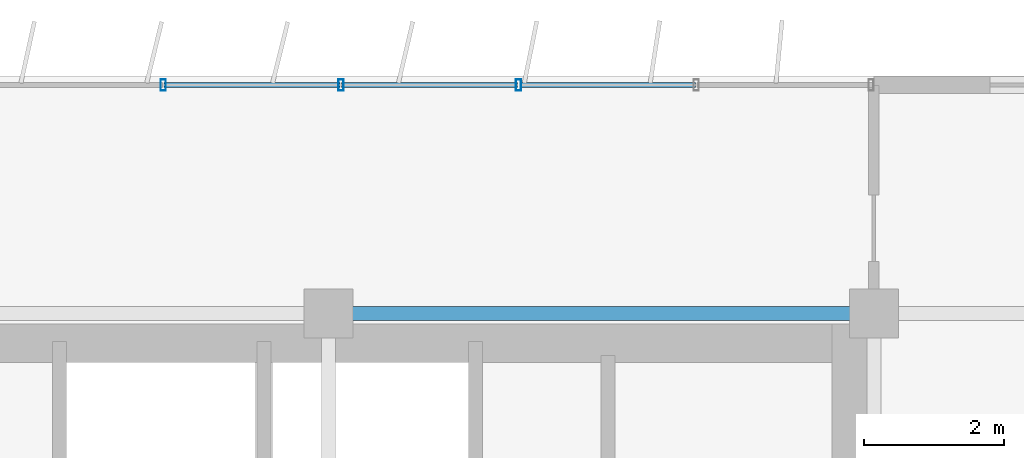
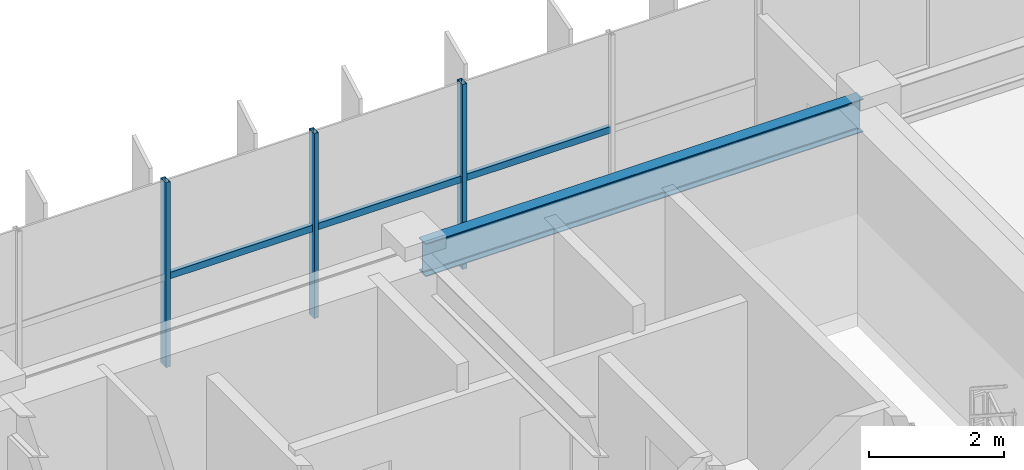
# One storey, part 13 of 24: 6 members, 1 beam, 1 element without a shape of its own.
"""IFC4 building model written with IfcOpenShell, lengths in metres."""

from ifc_helpers import new_model, si_unit, direction, frame, origin, origin_2d, place, context, subcontext, project, spatial, hollow_rectangle, i_section, extrude, source, transform, mapped, material, material_profile, profile_set, type_object, element, aggregate, save


model = new_model("IFC4")

# Units and contexts
model_context = context("Model", 3, precision=1e-05, world=origin(), true_north=direction((0.0, 1.0)))
body_context = subcontext(model_context, "Body", "Model", "MODEL_VIEW")
ifc_project = project(units=[si_unit("LENGTHUNIT", "METRE"), si_unit("AREAUNIT", "SQUARE_METRE"), si_unit("VOLUMEUNIT", "CUBIC_METRE"), si_unit("PLANEANGLEUNIT", "RADIAN"), si_unit("MASSUNIT", "GRAM", prefix="KILO")], contexts=[model_context])

# Site, building, storey
site_placement = place(None, origin())
site = spatial("IfcSite", under=ifc_project, at=site_placement, CompositionType="ELEMENT")
building_placement = place(site_placement, origin())
building = spatial("IfcBuilding", under=site, at=building_placement, Name="Trelvane Seafront Commons", CompositionType="ELEMENT")
storey_placement = place(building_placement, frame((0.0, 0.0, 175.300048828125)))
storey = spatial("IfcBuildingStorey", under=building, at=storey_placement, Name="L46", CompositionType="ELEMENT", Elevation=175.300048828125)

# Beam
ifc_material_1 = material(Name="Steel SM355 (S355)", Category="steel")
ifc_material_profile_1 = material_profile(ifc_material_1, i_section(OverallWidth=0.199951171875, OverallDepth=0.60009765625, WebThickness=0.010986328125, FlangeThickness=0.01708984375, at=origin_2d()), Name="H-600x200x11x17")
ifc_profile_set_1 = profile_set([ifc_material_profile_1], Name="Steel SM355 (S355)")
beam_type = type_object("IfcBeamType", Name="STR-SPD-H600", PredefinedType="SPANDREL", material=ifc_profile_set_1)
shared_shape_1 = source(origin(), body_context, "Body", "SweptSolid", [
    extrude(i_section(OverallWidth=0.199951171875, OverallDepth=0.60009765625, WebThickness=0.010986328125, FlangeThickness=0.01708984375, at=origin_2d()), origin(), (0.0, 0.0, 1.0), 7.5),
])
beam_placement = place(storey_placement, frame((51.14990234375, 45.10009765625, 3.050048828125), z_axis=(1.0, 0.0, 0.0), x_axis=(0.0, 1.0, 0.0)))
element("IfcBeam", 1, at=beam_placement, inside=storey, type_object=beam_type, Name="L46 Primary Girder G-27", PredefinedType="SPANDREL", context=body_context, shape_type="MappedRepresentation", body=[
    mapped(shared_shape_1, transform((0.0, 0.0, 0.0), x_axis=(1.0, 0.0, 0.0), y_axis=(0.0, 1.0, 0.0), z_axis=(0.0, 0.0, 1.0), scale=1.0)),
])

# Curtain wall, members
ifc_material_2 = material(Name="Anodised pale-silver aluminium", Category="aluminium")
curtain_wall_type = type_object("IfcCurtainWallType", Name="ARCH-CW5-UPTOWER", PredefinedType="NOTDEFINED", material=ifc_material_2)
curtain_wall_placement = place(storey_placement, origin())
curtain_wall = element("IfcCurtainWall", 2, at=curtain_wall_placement, inside=storey, type_object=curtain_wall_type, Name="CW-L46-0073", PredefinedType="NOTDEFINED")
ifc_material_profile_2 = material_profile(ifc_material_2, hollow_rectangle(XDim=0.070068359375, YDim=0.1201171875, WallThickness=0.00390625, at=origin_2d()), Name="TRAN-70x120x4")
ifc_profile_set_2 = profile_set([ifc_material_profile_2], Name="Anodised pale-silver aluminium")
member_type_1 = type_object("IfcMemberType", Name="ARCH-CW-TRAN-120", PredefinedType="USERDEFINED", material=ifc_profile_set_2)
shared_shape_2 = source(origin(), body_context, "Body", "SweptSolid", [
    extrude(hollow_rectangle(XDim=0.070068359375, YDim=0.1201171875, WallThickness=0.00390625, at=origin_2d()), origin(), (0.0, 0.0, 1.0), 2.51708984375),
])
member_1_placement = place(storey_placement, frame((51.1884765625, 48.3701171875, 1.60791015625), z_axis=(1.0, 0.0, 0.0), x_axis=(0.0, 1.0, 0.0)))
member_1 = element("IfcMember", 3, at=member_1_placement, type_object=member_type_1, Name="CW-L46-0073-T14", ObjectType="TRANSOM", PredefinedType="USERDEFINED", context=body_context, shape_type="MappedRepresentation", body=[
    mapped(shared_shape_2, transform((0.0, 0.0, 0.0), x_axis=(1.0, 0.0, 0.0), y_axis=(0.0, 1.0, 0.0), z_axis=(0.0, 0.0, 1.0), scale=1.0)),
])
shared_shape_3 = source(origin(), body_context, "Body", "SweptSolid", [
    extrude(hollow_rectangle(XDim=0.070068359375, YDim=0.1201171875, WallThickness=0.00390625, at=origin_2d()), origin(), (0.0, 0.0, 1.0), 2.517333984375),
])
member_2_placement = place(storey_placement, frame((48.647216796875, 48.3701171875, 1.60791015625), z_axis=(1.0, 0.0, 0.0), x_axis=(0.0, 1.0, 0.0)))
member_2 = element("IfcMember", 4, at=member_2_placement, type_object=member_type_1, Name="CW-L46-0073-T13", ObjectType="TRANSOM", PredefinedType="USERDEFINED", context=body_context, shape_type="MappedRepresentation", body=[
    mapped(shared_shape_3, transform((0.0, 0.0, 0.0), x_axis=(1.0, 0.0, 0.0), y_axis=(0.0, 1.0, 0.0), z_axis=(0.0, 0.0, 1.0), scale=1.0)),
])
member_3_placement = place(storey_placement, frame((53.7294921875, 48.3701171875, 1.60791015625), z_axis=(1.0, 0.0, 0.0), x_axis=(0.0, 1.0, 0.0)))
member_3 = element("IfcMember", 5, at=member_3_placement, type_object=member_type_1, Name="CW-L46-0073-T15", ObjectType="TRANSOM", PredefinedType="USERDEFINED", context=body_context, shape_type="MappedRepresentation", body=[
    mapped(shared_shape_3, transform((0.0, 0.0, 0.0), x_axis=(1.0, 0.0, 0.0), y_axis=(0.0, 1.0, 0.0), z_axis=(0.0, 0.0, 1.0), scale=1.0)),
])
ifc_material_profile_3 = material_profile(ifc_material_2, hollow_rectangle(XDim=0.074951171875, YDim=0.159912109375, WallThickness=0.00390625, at=origin_2d()), Name="MULL-75x160x4")
ifc_profile_set_3 = profile_set([ifc_material_profile_3], Name="Anodised pale-silver aluminium")
member_type_2 = type_object("IfcMemberType", Name="ARCH-CW-MULL-160", PredefinedType="MULLION", material=ifc_profile_set_3)
shared_shape_4 = source(origin(), body_context, "Body", "SweptSolid", [
    extrude(hollow_rectangle(XDim=0.074951171875, YDim=0.159912109375, WallThickness=0.00390625, at=origin_2d()), origin(), (0.0, 0.0, 1.0), 3.349853515625),
])
member_4_placement = place(storey_placement, frame((48.63525390625, 48.3701171875, 0.0), z_axis=(0.0, 0.0, 1.0), x_axis=(1.0, 0.0, 0.0)))
member_4 = element("IfcMember", 6, at=member_4_placement, type_object=member_type_2, Name="CW-L46-0073-M13", PredefinedType="MULLION", context=body_context, shape_type="MappedRepresentation", body=[
    mapped(shared_shape_4, transform((0.0, 0.0, 0.0), x_axis=(1.0, 0.0, 0.0), y_axis=(0.0, 1.0, 0.0), z_axis=(0.0, 0.0, 1.0), scale=1.0)),
])
member_5_placement = place(storey_placement, frame((51.176513671875, 48.3701171875, 0.0), z_axis=(0.0, 0.0, 1.0), x_axis=(1.0, 0.0, 0.0)))
member_5 = element("IfcMember", 7, at=member_5_placement, type_object=member_type_2, Name="CW-L46-0073-M14", PredefinedType="MULLION", context=body_context, shape_type="MappedRepresentation", body=[
    mapped(shared_shape_4, transform((0.0, 0.0, 0.0), x_axis=(1.0, 0.0, 0.0), y_axis=(0.0, 1.0, 0.0), z_axis=(0.0, 0.0, 1.0), scale=1.0)),
])
member_6_placement = place(storey_placement, frame((53.717529296875, 48.3701171875, 0.0), z_axis=(0.0, 0.0, 1.0), x_axis=(1.0, 0.0, 0.0)))
member_6 = element("IfcMember", 8, at=member_6_placement, type_object=member_type_2, Name="CW-L46-0073-M15", PredefinedType="MULLION", context=body_context, shape_type="MappedRepresentation", body=[
    mapped(shared_shape_4, transform((0.0, 0.0, 0.0), x_axis=(1.0, 0.0, 0.0), y_axis=(0.0, 1.0, 0.0), z_axis=(0.0, 0.0, 1.0), scale=1.0)),
])
aggregate(curtain_wall, [member_4, member_5, member_6, member_2, member_1, member_3])

save(model, "model.ifc")
